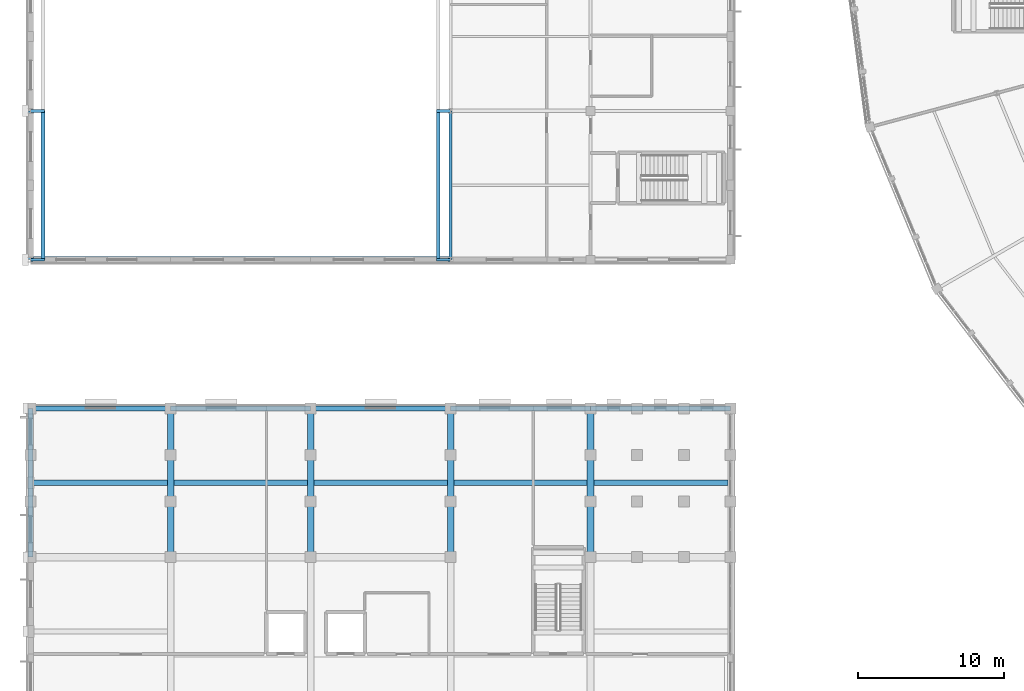
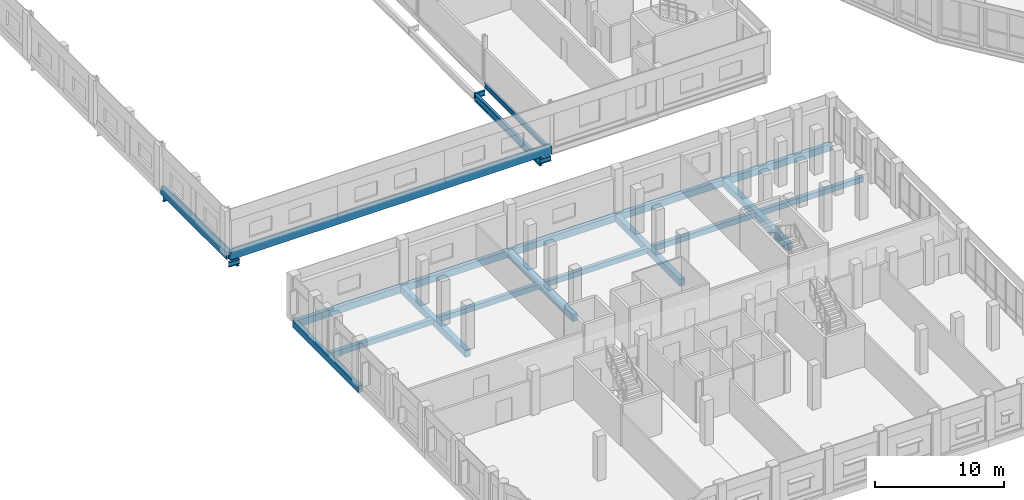
# One storey, part 25 of 170: 24 beams.
"""IFC4 building model written with IfcOpenShell, lengths in metres."""

from ifc_helpers import new_model, si_unit, direction, frame, origin, origin_2d, place, context, subcontext, project, spatial, rectangle, i_section, extrude, material, material_profile, profile_set, type_object, element, save


model = new_model("IFC4")

# Units and contexts
model_context = context("Model", 3, precision=1e-05, world=origin(), true_north=direction((0.0, 1.0)))
body_context = subcontext(model_context, "Body", "Model", "MODEL_VIEW")
ifc_project = project(units=[si_unit("LENGTHUNIT", "METRE"), si_unit("AREAUNIT", "SQUARE_METRE"), si_unit("VOLUMEUNIT", "CUBIC_METRE"), si_unit("PLANEANGLEUNIT", "RADIAN"), si_unit("MASSUNIT", "GRAM", prefix="KILO")], contexts=[model_context])

# Site, building, storey
site_placement = place(None, origin())
site = spatial("IfcSite", under=ifc_project, at=site_placement, CompositionType="ELEMENT")
building_placement = place(site_placement, origin())
building = spatial("IfcBuilding", under=site, at=building_placement, Name="Vondelvale Polytechnic", CompositionType="ELEMENT")
storey_placement = place(building_placement, frame((0.0, 0.0, 5.39990234375)))
storey = spatial("IfcBuildingStorey", under=building, at=storey_placement, Name="L01", CompositionType="ELEMENT", Elevation=5.39990234375)

# Beams
ifc_material_1 = material(Name="Concrete N40 (f'c = 40 MPa)", Category="concrete")
ifc_material_profile_1 = material_profile(ifc_material_1, rectangle(XDim=0.449951171875, YDim=0.64990234375, at=origin_2d()), Name="RC-BM-450x650")
ifc_profile_set_1 = profile_set([ifc_material_profile_1], Name="Concrete N40 (f'c = 40 MPa)")
beam_type_1 = type_object("IfcBeamType", Name="BM-RC450x650", PredefinedType="BEAM", material=ifc_profile_set_1)
for number, where, z_axis, x_axis, name in (
    (1, (9.60009765625, 30.60009765625, -0.60498046875), (0.0, 1.0, 0.0), (-1.0, 0.0, 0.0), "L01 B B-04"),
    (2, (19.199951171875, 30.60009765625, -0.60498046875), (0.0, 1.0, 0.0), (-1.0, 0.0, 0.0), "L01 B B-04"),
    (3, (28.800048828125, 30.60009765625, -0.60498046875), (0.0, 1.0, 0.0), (-1.0, 0.0, 0.0), "L01 B B-04"),
    (4, (38.39990234375, 30.60009765625, -0.60498046875), (0.0, 1.0, 0.0), (-1.0, 0.0, 0.0), "L01 B B-04"),
):
    element("IfcBeam", number, at=place(storey_placement, frame(where, z_axis=z_axis, x_axis=x_axis)), inside=storey, type_object=beam_type_1, Name=name, PredefinedType="BEAM", context=body_context, shape_type="SweptSolid", body=[
        extrude(rectangle(XDim=0.449951171875, YDim=0.64990234375, at=origin_2d()), origin(), (0.0, 0.0, 1.0), 10.199951171875),
    ])
ifc_material_2 = material(Name="Steel 300PLUS (fy = 300 MPa)", Category="steel")
ifc_material_profile_2 = material_profile(ifc_material_2, i_section(OverallWidth=0.18994140625, OverallDepth=0.45703125, WebThickness=0.009033203125, FlangeThickness=0.014404296875, FilletRadius=0.011474609375, at=origin_2d()), Name="460UB74.6")
ifc_profile_set_2 = profile_set([ifc_material_profile_2], Name="Steel 300PLUS (fy = 300 MPa)")
beam_type_2 = type_object("IfcBeamType", Name="BM-UB460", PredefinedType="BEAM", material=ifc_profile_set_2)
beam_1_placement = place(storey_placement, frame((28.800048828125, 51.0, -0.50830078125), z_axis=(0.0, 1.0, 0.0), x_axis=(-1.0, 0.0, 0.0)))
element("IfcBeam", 5, at=beam_1_placement, inside=storey, type_object=beam_type_2, Name="L01 B B-13", PredefinedType="BEAM", context=body_context, shape_type="SweptSolid", body=[
    extrude(i_section(OverallWidth=0.18994140625, OverallDepth=0.45703125, WebThickness=0.009033203125, FlangeThickness=0.014404296875, FilletRadius=0.011474609375, at=origin_2d()), origin(), (0.0, 0.0, 1.0), 10.199951171875),
])
ifc_material_profile_3 = material_profile(ifc_material_2, i_section(OverallWidth=0.19091796875, OverallDepth=0.4599609375, WebThickness=0.010009765625, FlangeThickness=0.01611328125, FilletRadius=0.011474609375, at=origin_2d()), Name="460UB82.1")
ifc_profile_set_3 = profile_set([ifc_material_profile_3], Name="Steel 300PLUS (fy = 300 MPa)")
beam_type_3 = type_object("IfcBeamType", Name="BM-UB460H", PredefinedType="BEAM", material=ifc_profile_set_3)
for number, where, z_axis, x_axis, name in (
    (6, (0.0, 51.0, -1.2099609375), (1.0, 0.0, 0.0), (0.0, 1.0, 0.0), "L01 CRB B-12"),
    (7, (27.85009765625, 51.0, -1.2099609375), (1.0, 0.0, 0.0), (0.0, 1.0, 0.0), "L01 CRB B-12"),
    (8, (0.0, 61.199951171875, -1.2099609375), (1.0, 0.0, 0.0), (0.0, 1.0, 0.0), "L01 CRB B-12"),
    (9, (27.85009765625, 61.199951171875, -1.2099609375), (1.0, 0.0, 0.0), (0.0, 1.0, 0.0), "L01 CRB B-12"),
):
    element("IfcBeam", number, at=place(storey_placement, frame(where, z_axis=z_axis, x_axis=x_axis)), inside=storey, type_object=beam_type_3, Name=name, PredefinedType="BEAM", context=body_context, shape_type="SweptSolid", body=[
        extrude(i_section(OverallWidth=0.19091796875, OverallDepth=0.4599609375, WebThickness=0.010009765625, FlangeThickness=0.01611328125, FilletRadius=0.011474609375, at=origin_2d()), origin(), (0.0, 0.0, 1.0), 0.949951171875),
    ])
ifc_material_profile_4 = material_profile(ifc_material_2, i_section(OverallWidth=0.25, OverallDepth=0.699951171875, WebThickness=0.010009765625, FlangeThickness=0.01611328125, FilletRadius=0.011962890625, at=origin_2d()), Name="700WB130")
ifc_profile_set_4 = profile_set([ifc_material_profile_4], Name="Steel 300PLUS (fy = 300 MPa)")
beam_type_4 = type_object("IfcBeamType", Name="BM-WB700", PredefinedType="BEAM", material=ifc_profile_set_4)
for number, where, z_axis, x_axis, name in (
    (10, (0.85009765625, 51.0, -1.329833984375), (0.0, 1.0, 0.0), (-1.0, 0.0, 0.0), "L01 CRN B-08"),
    (11, (27.949951171875, 51.0, -1.329833984375), (0.0, 1.0, 0.0), (-1.0, 0.0, 0.0), "L01 CRN B-08"),
):
    element("IfcBeam", number, at=place(storey_placement, frame(where, z_axis=z_axis, x_axis=x_axis)), inside=storey, type_object=beam_type_4, Name=name, PredefinedType="BEAM", context=body_context, shape_type="SweptSolid", body=[
        extrude(i_section(OverallWidth=0.25, OverallDepth=0.699951171875, WebThickness=0.010009765625, FlangeThickness=0.01611328125, FilletRadius=0.011962890625, at=origin_2d()), origin(), (0.0, 0.0, 1.0), 10.199951171875),
    ])
ifc_material_profile_5 = material_profile(ifc_material_1, rectangle(XDim=0.35009765625, YDim=0.5, at=origin_2d()), Name="RC-JST-350x500")
ifc_profile_set_5 = profile_set([ifc_material_profile_5], Name="Concrete N40 (f'c = 40 MPa)")
beam_type_5 = type_object("IfcBeamType", Name="JST-RC350x500", PredefinedType="JOIST", material=ifc_profile_set_5)
beam_2_placement = place(storey_placement, frame((0.175048828125, 35.699951171875, -0.52978515625), z_axis=(1.0, 0.0, 0.0), x_axis=(0.0, 1.0, 0.0)))
element("IfcBeam", 12, at=beam_2_placement, inside=storey, type_object=beam_type_5, Name="L01 J J-01", PredefinedType="JOIST", context=body_context, shape_type="SweptSolid", body=[
    extrude(rectangle(XDim=0.35009765625, YDim=0.5, at=origin_2d()), origin(), (0.0, 0.0, 1.0), 9.199951171875),
])
beam_3_placement = place(storey_placement, frame((9.824951171875, 35.699951171875, -0.52978515625), z_axis=(1.0, 0.0, 0.0), x_axis=(0.0, 1.0, 0.0)))
element("IfcBeam", 13, at=beam_3_placement, inside=storey, type_object=beam_type_5, Name="L01 J J-01", PredefinedType="JOIST", context=body_context, shape_type="SweptSolid", body=[
    extrude(rectangle(XDim=0.35009765625, YDim=0.5, at=origin_2d()), origin(), (0.0, 0.0, 1.0), 9.150146484375),
])
beam_4_placement = place(storey_placement, frame((19.425048828125, 35.699951171875, -0.52978515625), z_axis=(1.0, 0.0, 0.0), x_axis=(0.0, 1.0, 0.0)))
element("IfcBeam", 14, at=beam_4_placement, inside=storey, type_object=beam_type_5, Name="L01 J J-01", PredefinedType="JOIST", context=body_context, shape_type="SweptSolid", body=[
    extrude(rectangle(XDim=0.35009765625, YDim=0.5, at=origin_2d()), origin(), (0.0, 0.0, 1.0), 9.14990234375),
])
beam_5_placement = place(storey_placement, frame((29.02490234375, 35.699951171875, -0.52978515625), z_axis=(1.0, 0.0, 0.0), x_axis=(0.0, 1.0, 0.0)))
element("IfcBeam", 15, at=beam_5_placement, inside=storey, type_object=beam_type_5, Name="L01 J J-01", PredefinedType="JOIST", context=body_context, shape_type="SweptSolid", body=[
    extrude(rectangle(XDim=0.35009765625, YDim=0.5, at=origin_2d()), origin(), (0.0, 0.0, 1.0), 9.150146484375),
])
beam_6_placement = place(storey_placement, frame((38.625, 35.699951171875, -0.52978515625), z_axis=(1.0, 0.0, 0.0), x_axis=(0.0, 1.0, 0.0)))
element("IfcBeam", 16, at=beam_6_placement, inside=storey, type_object=beam_type_5, Name="L01 J J-01", PredefinedType="JOIST", context=body_context, shape_type="SweptSolid", body=[
    extrude(rectangle(XDim=0.35009765625, YDim=0.5, at=origin_2d()), origin(), (0.0, 0.0, 1.0), 9.199951171875),
])
ifc_material_3 = material(Name="Precast concrete N40 (f'c = 40 MPa)", Category="concrete")
ifc_material_profile_6 = material_profile(ifc_material_3, rectangle(XDim=0.35009765625, YDim=0.64990234375, at=origin_2d()), Name="RC-SPN-350x650")
ifc_profile_set_6 = profile_set([ifc_material_profile_6], Name="Precast concrete N40 (f'c = 40 MPa)")
beam_type_6 = type_object("IfcBeamType", Name="SPN-PRE350x650", PredefinedType="SPANDREL", material=ifc_profile_set_6)
beam_7_placement = place(storey_placement, frame((0.0, 40.800048828125, -0.60498046875), z_axis=(1.0, 0.0, 0.0), x_axis=(0.0, 1.0, 0.0)))
element("IfcBeam", 17, at=beam_7_placement, inside=storey, type_object=beam_type_6, Name="L01 B SP-02", PredefinedType="SPANDREL", context=body_context, shape_type="SweptSolid", body=[
    extrude(rectangle(XDim=0.35009765625, YDim=0.64990234375, at=origin_2d()), origin(), (0.0, 0.0, 1.0), 9.60009765625),
])
beam_8_placement = place(storey_placement, frame((9.60009765625, 40.800048828125, -0.60498046875), z_axis=(1.0, 0.0, 0.0), x_axis=(0.0, 1.0, 0.0)))
element("IfcBeam", 18, at=beam_8_placement, inside=storey, type_object=beam_type_6, Name="L01 B SP-02", PredefinedType="SPANDREL", context=body_context, shape_type="SweptSolid", body=[
    extrude(rectangle(XDim=0.35009765625, YDim=0.64990234375, at=origin_2d()), origin(), (0.0, 0.0, 1.0), 9.599853515625),
])
beam_9_placement = place(storey_placement, frame((19.199951171875, 40.800048828125, -0.60498046875), z_axis=(1.0, 0.0, 0.0), x_axis=(0.0, 1.0, 0.0)))
element("IfcBeam", 19, at=beam_9_placement, inside=storey, type_object=beam_type_6, Name="L01 B SP-02", PredefinedType="SPANDREL", context=body_context, shape_type="SweptSolid", body=[
    extrude(rectangle(XDim=0.35009765625, YDim=0.64990234375, at=origin_2d()), origin(), (0.0, 0.0, 1.0), 9.60009765625),
])
beam_10_placement = place(storey_placement, frame((28.800048828125, 40.800048828125, -0.60498046875), z_axis=(1.0, 0.0, 0.0), x_axis=(0.0, 1.0, 0.0)))
element("IfcBeam", 20, at=beam_10_placement, inside=storey, type_object=beam_type_6, Name="L01 B SP-02", PredefinedType="SPANDREL", context=body_context, shape_type="SweptSolid", body=[
    extrude(rectangle(XDim=0.35009765625, YDim=0.64990234375, at=origin_2d()), origin(), (0.0, 0.0, 1.0), 9.599853515625),
])
beam_11_placement = place(storey_placement, frame((38.39990234375, 40.800048828125, -0.60498046875), z_axis=(1.0, 0.0, 0.0), x_axis=(0.0, 1.0, 0.0)))
element("IfcBeam", 21, at=beam_11_placement, inside=storey, type_object=beam_type_6, Name="L01 B SP-02", PredefinedType="SPANDREL", context=body_context, shape_type="SweptSolid", body=[
    extrude(rectangle(XDim=0.35009765625, YDim=0.64990234375, at=origin_2d()), origin(), (0.0, 0.0, 1.0), 9.60009765625),
])
beam_12_placement = place(storey_placement, frame((0.0, 30.60009765625, -0.60498046875), z_axis=(0.0, 1.0, 0.0), x_axis=(-1.0, 0.0, 0.0)))
element("IfcBeam", 22, at=beam_12_placement, inside=storey, type_object=beam_type_6, Name="L01 B SP-02", PredefinedType="SPANDREL", context=body_context, shape_type="SweptSolid", body=[
    extrude(rectangle(XDim=0.35009765625, YDim=0.64990234375, at=origin_2d()), origin(), (0.0, 0.0, 1.0), 10.199951171875),
])
ifc_material_profile_7 = material_profile(ifc_material_3, rectangle(XDim=0.39990234375, YDim=0.699951171875, at=origin_2d()), Name="RC-SPN-400x700")
ifc_profile_set_7 = profile_set([ifc_material_profile_7], Name="Precast concrete N40 (f'c = 40 MPa)")
beam_type_7 = type_object("IfcBeamType", Name="SPN-PRE400x700", PredefinedType="SPANDREL", material=ifc_profile_set_7)
beam_13_placement = place(storey_placement, frame((0.0, 51.0, -0.349853515625), z_axis=(0.0, 1.0, 0.0), x_axis=(-1.0, 0.0, 0.0)))
element("IfcBeam", 23, at=beam_13_placement, inside=storey, type_object=beam_type_7, Name="L01 SP SP-01", PredefinedType="SPANDREL", context=body_context, shape_type="SweptSolid", body=[
    extrude(rectangle(XDim=0.39990234375, YDim=0.699951171875, at=origin_2d()), origin(), (0.0, 0.0, 1.0), 10.199951171875),
])
beam_14_placement = place(storey_placement, frame((0.0, 51.0, -0.349853515625), z_axis=(1.0, 0.0, 0.0), x_axis=(0.0, 1.0, 0.0)))
element("IfcBeam", 24, at=beam_14_placement, inside=storey, type_object=beam_type_7, Name="L01 SP SP-01", PredefinedType="SPANDREL", context=body_context, shape_type="SweptSolid", body=[
    extrude(rectangle(XDim=0.39990234375, YDim=0.699951171875, at=origin_2d()), origin(), (0.0, 0.0, 1.0), 28.800048828125),
])

save(model, "model.ifc")
